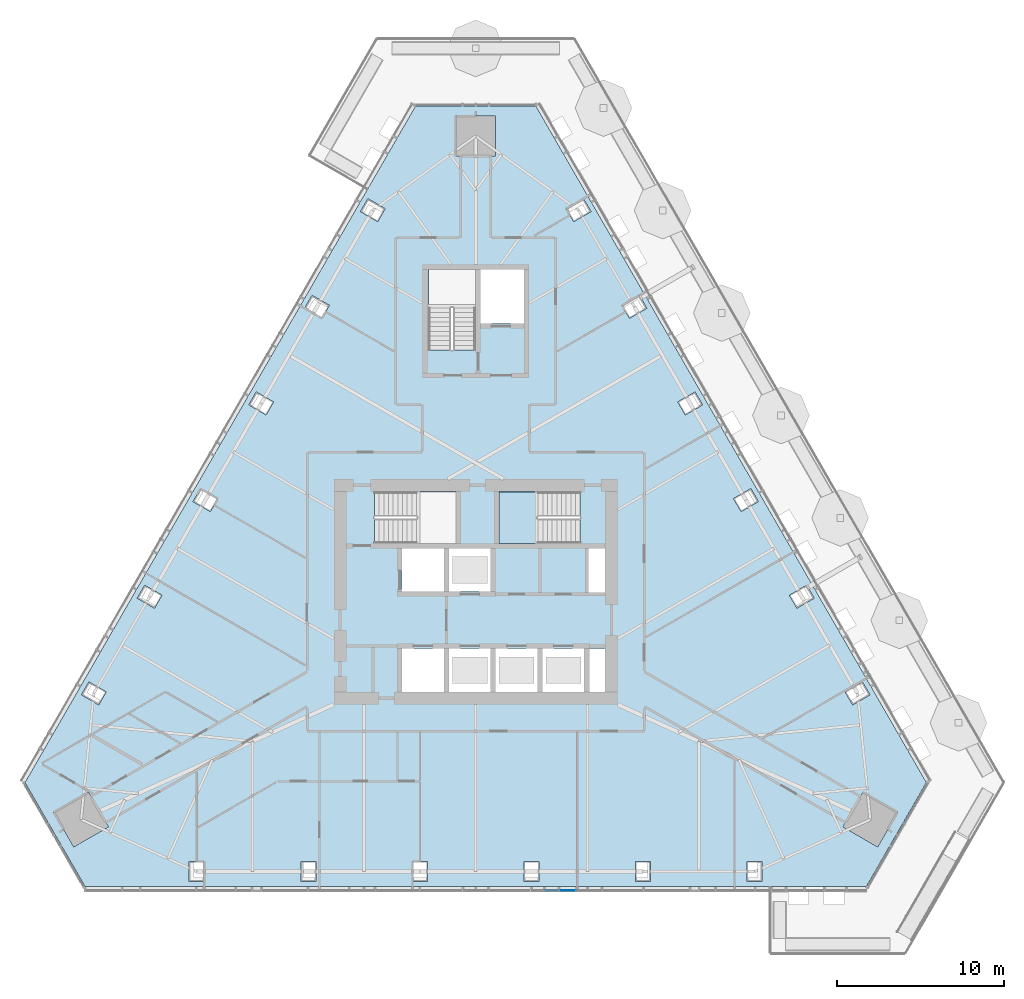
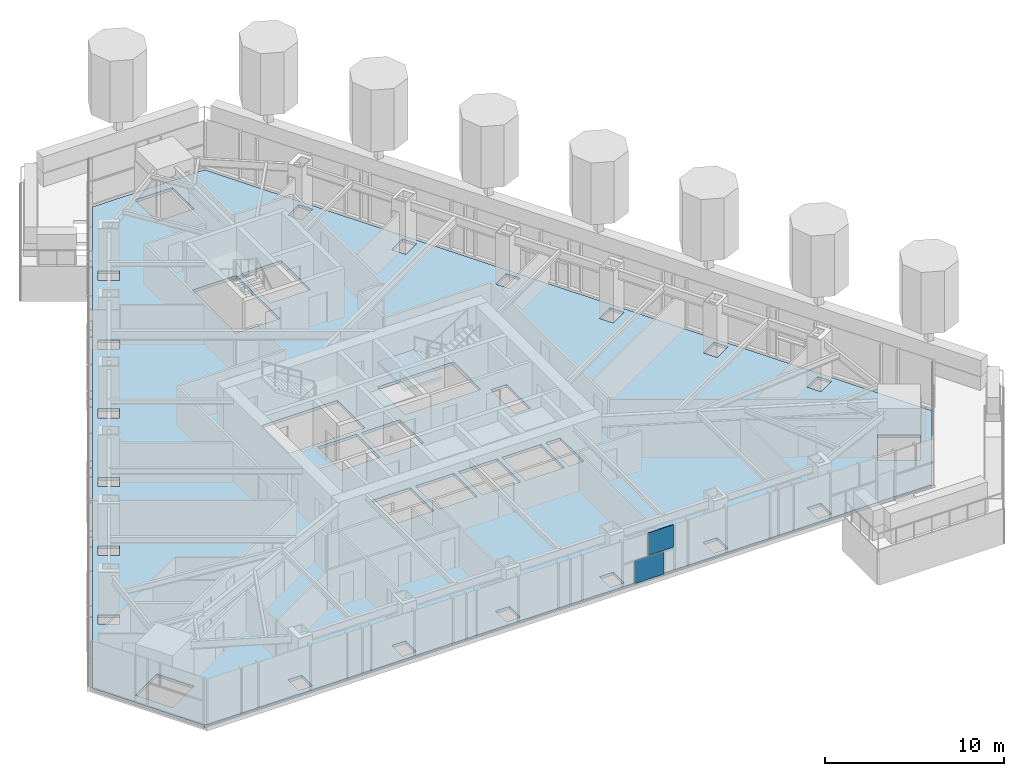
# One storey, part 10 of 24: 2 plates, 2 slabs, 2 elements without a shape of their own.
"""IFC4 building model written with IfcOpenShell, lengths in metres."""

from ifc_helpers import new_model, si_unit, direction, frame, origin, place, context, subcontext, project, spatial, polyline, outline, extrude, material, layer, layer_set, type_object, element, aggregate, save


model = new_model("IFC4")

# Units and contexts
model_context = context("Model", 3, precision=1e-05, world=origin(), true_north=direction((0.0, 1.0)))
body_context = subcontext(model_context, "Body", "Model", "MODEL_VIEW")
ifc_project = project(units=[si_unit("LENGTHUNIT", "METRE"), si_unit("AREAUNIT", "SQUARE_METRE"), si_unit("VOLUMEUNIT", "CUBIC_METRE"), si_unit("PLANEANGLEUNIT", "RADIAN"), si_unit("MASSUNIT", "GRAM", prefix="KILO")], contexts=[model_context])

# Site, building, storey
site_placement = place(None, origin())
site = spatial("IfcSite", under=ifc_project, at=site_placement, CompositionType="ELEMENT")
building_placement = place(site_placement, origin())
building = spatial("IfcBuilding", under=site, at=building_placement, Name="Firuza Gate Tower and Library", CompositionType="ELEMENT")
storey_placement = place(building_placement, frame((0.0, 0.0, 267.10009765625)))
storey = spatial("IfcBuildingStorey", under=building, at=storey_placement, Name="L63", CompositionType="ELEMENT", Elevation=267.10009765625)

# Slab
ifc_material_1 = material(Name="Concrete C40/50", Category="concrete")
ifc_layer_1 = layer(ifc_material_1, 0.199951171875)
ifc_layer_set_1 = layer_set([ifc_layer_1], Name="Composite floor slab 200 C40/50")
slab_type_1 = type_object("IfcSlabType", Name="Composite floor slab 200 C40/50", PredefinedType="FLOOR", material=ifc_layer_set_1)
slab_1_placement = place(storey_placement, frame((0.0, 0.0, -0.2001953125)))
element("IfcSlab", 1, at=slab_1_placement, inside=storey, type_object=slab_type_1, Name="Floor slab L63", PredefinedType="FLOOR", context=body_context, shape_type="SweptSolid", body=[
    extrude(outline(polyline([(48.0107421875, 63.57470703125), (51.610595703125, 57.33935546875), (98.389404296875, 57.33935546875), (101.9892578125, 63.57470703125), (78.60009765625, 104.086181640625), (71.39990234375, 104.086181640625), (48.0107421875, 63.57470703125)]), holes=[polyline([(57.84326171875, 57.63916015625), (57.84326171875, 58.83935546875), (58.743408203125, 58.83935546875), (58.743408203125, 57.63916015625), (57.84326171875, 57.63916015625)]), polyline([(64.52587890625, 57.63916015625), (64.52587890625, 58.83935546875), (65.426025390625, 58.83935546875), (65.426025390625, 57.63916015625), (64.52587890625, 57.63916015625)]), polyline([(71.208740234375, 57.63916015625), (71.208740234375, 58.83935546875), (72.108642578125, 58.83935546875), (72.108642578125, 57.63916015625), (71.208740234375, 57.63916015625)]), polyline([(49.730224609375, 61.796142578125), (51.808837890625, 62.99609375), (53.0087890625, 60.917724609375), (50.93017578125, 59.7177734375), (49.730224609375, 61.796142578125)]), polyline([(51.8369140625, 69.601806640625), (52.8759765625, 69.001708984375), (52.426025390625, 68.22216796875), (51.38671875, 68.822265625), (51.8369140625, 69.601806640625)]), polyline([(73.10009765625, 69.0), (70.60009765625, 69.0), (70.60009765625, 71.60009765625), (73.10009765625, 71.60009765625), (73.10009765625, 69.0)]), polyline([(75.89990234375, 69.0), (73.39990234375, 69.0), (73.39990234375, 71.60009765625), (75.89990234375, 71.60009765625), (75.89990234375, 69.0)]), polyline([(55.17822265625, 75.38916015625), (56.21728515625, 74.7890625), (55.767333984375, 74.009521484375), (54.72802734375, 74.609619140625), (55.17822265625, 75.38916015625)]), polyline([(73.10009765625, 75.0), (70.60009765625, 75.0), (70.60009765625, 77.60009765625), (73.10009765625, 77.60009765625), (73.10009765625, 75.0)]), polyline([(75.89990234375, 75.0), (73.39990234375, 75.0), (73.39990234375, 77.60009765625), (75.89990234375, 77.60009765625), (75.89990234375, 75.0)]), polyline([(68.9404296875, 77.89990234375), (68.9404296875, 80.97998046875), (73.81005859375, 80.97998046875), (73.81005859375, 77.89990234375), (68.9404296875, 77.89990234375)]), polyline([(58.51953125, 81.176513671875), (59.55859375, 80.576416015625), (59.108642578125, 79.796875), (58.069580078125, 80.39697265625), (58.51953125, 81.176513671875)]), polyline([(61.86083984375, 86.9638671875), (62.900146484375, 86.36376953125), (62.449951171875, 85.584228515625), (61.410888671875, 86.184326171875), (61.86083984375, 86.9638671875)]), polyline([(72.159912109375, 89.470458984375), (72.159912109375, 94.300048828125), (75.0, 94.300048828125), (75.0, 89.470458984375), (72.159912109375, 89.470458984375)]), polyline([(65.2021484375, 92.751220703125), (66.241455078125, 92.151123046875), (65.791259765625, 91.371826171875), (64.752197265625, 91.9716796875), (65.2021484375, 92.751220703125)]), polyline([(68.54345703125, 98.53857421875), (69.582763671875, 97.9384765625), (69.1328125, 97.1591796875), (68.093505859375, 97.759033203125), (68.54345703125, 98.53857421875)]), polyline([(76.199951171875, 103.486083984375), (76.199951171875, 101.086181640625), (73.800048828125, 101.086181640625), (73.800048828125, 103.486083984375), (76.199951171875, 103.486083984375)]), polyline([(77.891357421875, 57.63916015625), (77.891357421875, 58.83935546875), (78.791259765625, 58.83935546875), (78.791259765625, 57.63916015625), (77.891357421875, 57.63916015625)]), polyline([(84.573974609375, 57.63916015625), (84.573974609375, 58.83935546875), (85.47412109375, 58.83935546875), (85.47412109375, 57.63916015625), (84.573974609375, 57.63916015625)]), polyline([(91.256591796875, 57.63916015625), (91.256591796875, 58.83935546875), (92.15673828125, 58.83935546875), (92.15673828125, 57.63916015625), (91.256591796875, 57.63916015625)]), polyline([(99.06982421875, 59.7177734375), (96.9912109375, 60.917724609375), (98.191162109375, 62.99609375), (100.269775390625, 61.796142578125), (99.06982421875, 59.7177734375)]), polyline([(98.61328125, 68.822265625), (97.573974609375, 68.22216796875), (97.1240234375, 69.001708984375), (98.1630859375, 69.601806640625), (98.61328125, 68.822265625)]), polyline([(78.699951171875, 69.0), (76.199951171875, 69.0), (76.199951171875, 71.60009765625), (78.699951171875, 71.60009765625), (78.699951171875, 69.0)]), polyline([(81.5, 69.0), (79.0, 69.0), (79.0, 71.60009765625), (81.5, 71.60009765625), (81.5, 69.0)]), polyline([(82.75, 69.0), (81.800048828125, 69.0), (81.800048828125, 71.60009765625), (82.75, 71.60009765625), (82.75, 69.0)]), polyline([(95.27197265625, 74.609619140625), (94.232666015625, 74.009521484375), (93.78271484375, 74.7890625), (94.82177734375, 75.38916015625), (95.27197265625, 74.609619140625)]), polyline([(82.75, 74.949951171875), (81.75, 74.949951171875), (81.75, 77.60009765625), (82.75, 77.60009765625), (82.75, 74.949951171875)]), polyline([(81.259521484375, 80.97998046875), (81.259521484375, 77.89990234375), (76.389892578125, 77.89990234375), (76.389892578125, 80.97998046875), (81.259521484375, 80.97998046875)]), polyline([(91.930419921875, 80.39697265625), (90.891357421875, 79.796875), (90.44140625, 80.576416015625), (91.48046875, 81.176513671875), (91.930419921875, 80.39697265625)]), polyline([(88.589111328125, 86.184326171875), (87.550048828125, 85.584228515625), (87.099853515625, 86.36376953125), (88.13916015625, 86.9638671875), (88.589111328125, 86.184326171875)]), polyline([(85.247802734375, 91.9716796875), (84.208740234375, 91.371826171875), (83.758544921875, 92.151123046875), (84.7978515625, 92.751220703125), (85.247802734375, 91.9716796875)]), polyline([(75.300048828125, 91.050048828125), (75.300048828125, 94.300048828125), (77.89990234375, 94.300048828125), (77.89990234375, 91.050048828125), (75.300048828125, 91.050048828125)]), polyline([(80.8671875, 97.1591796875), (80.417236328125, 97.9384765625), (81.45654296875, 98.53857421875), (81.906494140625, 97.759033203125), (80.8671875, 97.1591796875)])]), origin(), (0.0, 0.0, 1.0), 0.2001953125),
])

# Curtain wall, plates
ifc_material_2 = material(Name="Aluminium 6063-T6", Category="aluminium")
ifc_layer_2 = layer(ifc_material_2, 0.14990234375)
ifc_layer_set_2 = layer_set([ifc_layer_2], Name="Unitised curtain wall, residences")
curtain_wall_type = type_object("IfcCurtainWallType", Name="Unitised curtain wall, residences", PredefinedType="NOTDEFINED", material=ifc_layer_set_2)
placement = place(storey_placement, origin())
curtain_wall = element("IfcCurtainWall", 2, at=placement, inside=storey, type_object=curtain_wall_type, Name="CW3 L63 S face", PredefinedType="NOTDEFINED")
ifc_material_3 = material(Name="Fritted glass", Category="glass")
ifc_layer_3 = layer(ifc_material_3, 0.030029296875)
ifc_layer_set_3 = layer_set([ifc_layer_3], Name="Fritted glass unit, residences")
plate_type_1 = type_object("IfcPlateType", Name="Fritted glass unit, residences", PredefinedType="CURTAIN_PANEL", material=ifc_layer_set_3)
plate_1_placement = place(storey_placement, frame((80.025634765625, 57.079345703125, 1.764892578125), z_axis=(0.0, -1.0, 0.0), x_axis=(1.0, 0.0, 0.0)))
plate_1 = element("IfcPlate", 3, at=plate_1_placement, type_object=plate_type_1, Name="Glass unit", PredefinedType="CURTAIN_PANEL", context=body_context, shape_type="SweptSolid", body=[
    extrude(outline(polyline([(0.0, 0.0), (1.62939453125, 0.0), (1.62939453125, 1.534912109375), (0.0, 1.534912109375), (0.0, 0.0)])), origin(), (0.0, 0.0, -1.0), 0.030029296875),
])
ifc_material_4 = material(Name="Glazed ceramic tile")
ifc_layer_4 = layer(ifc_material_4, 0.030029296875)
ifc_layer_set_4 = layer_set([ifc_layer_4], Name="Opaque ceramic panel, residences")
plate_type_2 = type_object("IfcPlateType", Name="Opaque ceramic panel, residences", PredefinedType="CURTAIN_PANEL", material=ifc_layer_set_4)
plate_2_placement = place(storey_placement, frame((79.1533203125, 57.079345703125, 0.14990234375), z_axis=(0.0, -1.0, 0.0), x_axis=(1.0, 0.0, 0.0)))
plate_2 = element("IfcPlate", 4, at=plate_2_placement, type_object=plate_type_2, Name="Opaque ceramic panel", PredefinedType="CURTAIN_PANEL", context=body_context, shape_type="SweptSolid", body=[
    extrude(outline(polyline([(0.0, 0.0), (1.838134765625, 0.0), (1.838134765625, 1.534912109375), (0.0, 1.534912109375), (0.0, 0.0)])), origin(), (0.0, 0.0, -1.0), 0.030029296875),
])
aggregate(curtain_wall, [plate_2, plate_1])

# Stair, slab
ifc_material_5 = material(Name="Concrete C35/45", Category="concrete")
stair_type = type_object("IfcStairType", Name="Exit stair ST8", PredefinedType="HALF_TURN_STAIR", material=ifc_material_5)
stair = element("IfcStair", 5, at=placement, inside=storey, type_object=stair_type, Name="L63 Stair ST2", PredefinedType="HALF_TURN_STAIR")
ifc_material_6 = material(Name="Concrete C35/45", Category="concrete")
ifc_layer_5 = layer(ifc_material_6, 0.199951171875)
ifc_layer_set_5 = layer_set([ifc_layer_5], Name="Stair landing 200")
slab_type_2 = type_object("IfcSlabType", Name="Stair landing 200", PredefinedType="LANDING", material=ifc_layer_set_5)
slab_2_placement = place(storey_placement, frame((0.0, 0.0, 1.5498046875)))
slab_2 = element("IfcSlab", 6, at=slab_2_placement, type_object=slab_type_2, Name="ST2 landing 1", PredefinedType="LANDING", context=body_context, shape_type="SweptSolid", body=[
    extrude(outline(polyline([(78.739990234375, 80.97998046875), (76.389892578125, 80.97998046875), (76.389892578125, 77.89990234375), (78.739990234375, 77.89990234375), (78.739990234375, 80.97998046875)])), origin(), (0.0, 0.0, 1.0), 0.2001953125),
])
aggregate(stair, [slab_2])

save(model, "model.ifc")
